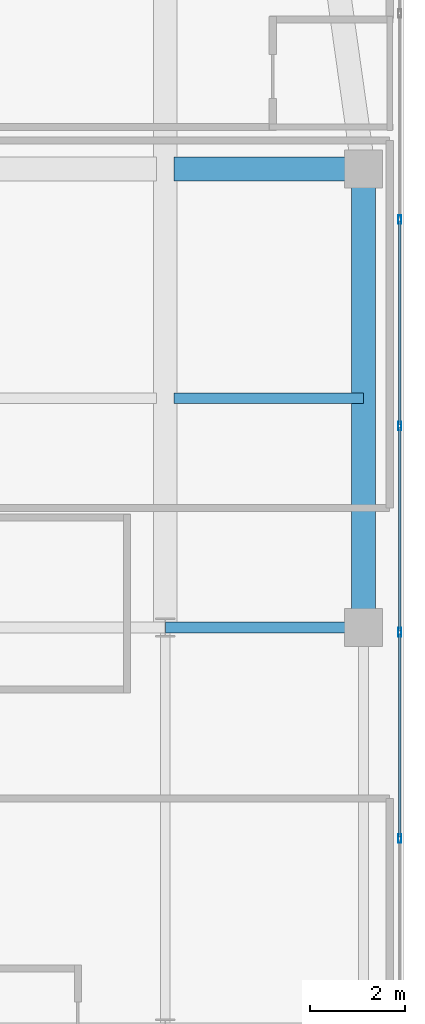
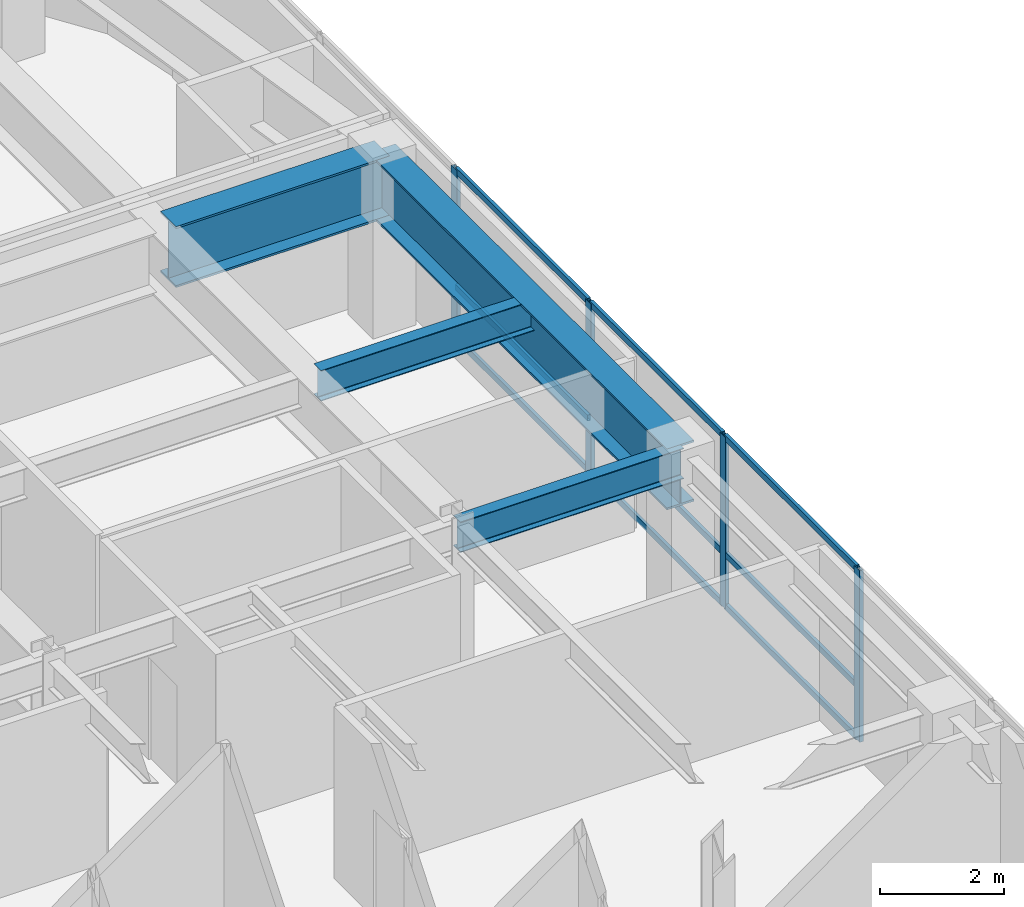
# One storey, part 10 of 26: 13 members, 4 beams, 1 element without a shape of its own.
"""IFC4 building model written with IfcOpenShell, lengths in metres."""

from ifc_helpers import new_model, si_unit, direction, frame, origin, origin_2d, place, context, subcontext, project, spatial, hollow_rectangle, i_section, extrude, source, transform, mapped, material, layer, layer_set, material_profile, profile_set, type_object, type_shapes, element, aggregate, save


model = new_model("IFC4")

# Units and contexts
model_context = context("Model", 3, precision=1e-05, world=origin(), true_north=direction((0.0, 1.0)))
body_context = subcontext(model_context, "Body", "Model", "MODEL_VIEW")
ifc_project = project(units=[si_unit("LENGTHUNIT", "METRE"), si_unit("AREAUNIT", "SQUARE_METRE"), si_unit("VOLUMEUNIT", "CUBIC_METRE"), si_unit("PLANEANGLEUNIT", "RADIAN"), si_unit("MASSUNIT", "GRAM", prefix="KILO")], contexts=[model_context])

# Site, building, storey
site_placement = place(None, origin())
site = spatial("IfcSite", under=ifc_project, at=site_placement, CompositionType="ELEMENT")
building_placement = place(site_placement, origin())
building = spatial("IfcBuilding", under=site, at=building_placement, Name="Tolvann Quenvar Hotel", CompositionType="ELEMENT")
storey_placement = place(building_placement, frame((0.0, 0.0, 168.35009765625)))
storey = spatial("IfcBuildingStorey", under=building, at=storey_placement, Name="L44", CompositionType="ELEMENT", Elevation=168.35009765625)

# Beams
ifc_material_1 = material(Name="Steel Grade 350", Category="steel")
ifc_material_profile_1 = material_profile(ifc_material_1, i_section(OverallWidth=0.5, OverallDepth=1.199951171875, WebThickness=0.01611328125, FlangeThickness=0.0400390625, at=origin_2d()), Name="1200WB455")
ifc_profile_set_1 = profile_set([ifc_material_profile_1], Name="Steel Grade 350")
beam_type_1 = type_object("IfcBeamType", Name="BM_TG_1200WB455", PredefinedType="USERDEFINED", material=ifc_profile_set_1)
shared_shape_1 = source(origin(), body_context, "Body", "SweptSolid", [
    extrude(i_section(OverallWidth=0.5, OverallDepth=1.199951171875, WebThickness=0.01611328125, FlangeThickness=0.0400390625, at=origin_2d()), origin(), (0.0, 0.0, 1.0), 9.60009765625),
])
beam_1_placement = place(storey_placement, frame((53.550048828125, 24.39990234375, 2.77001953125), z_axis=(0.0, 1.0, 0.0), x_axis=(-1.0, 0.0, 0.0)))
element("IfcBeam", 1, at=beam_1_placement, inside=storey, type_object=beam_type_1, Name="BM-L44-FLK-E1", ObjectType="TRANSFER GIRDER", PredefinedType="USERDEFINED", context=body_context, shape_type="MappedRepresentation", body=[
    mapped(shared_shape_1, transform((0.0, 0.0, 0.0), x_axis=(1.0, 0.0, 0.0), y_axis=(0.0, 1.0, 0.0), z_axis=(0.0, 0.0, 1.0), scale=1.0)),
])
shared_shape_2 = source(origin(), body_context, "Body", "SweptSolid", [
    extrude(i_section(OverallWidth=0.5, OverallDepth=1.199951171875, WebThickness=0.01611328125, FlangeThickness=0.0400390625, at=origin_2d()), origin(), (0.0, 0.0, 1.0), 3.969970703125),
])
type_shapes(beam_type_1, [shared_shape_1, shared_shape_2])
beam_2_placement = place(storey_placement, frame((49.580078125, 34.0, 2.77001953125), z_axis=(1.0, 0.0, 0.0), x_axis=(0.0, 1.0, 0.0)))
element("IfcBeam", 2, at=beam_2_placement, inside=storey, type_object=beam_type_1, Name="BM-L44-CTE-JD6C", ObjectType="TRANSFER GIRDER", PredefinedType="USERDEFINED", context=body_context, shape_type="MappedRepresentation", body=[
    mapped(shared_shape_2, transform((0.0, 0.0, 0.0), x_axis=(1.0, 0.0, 0.0), y_axis=(0.0, 1.0, 0.0), z_axis=(0.0, 0.0, 1.0), scale=1.0)),
])
ifc_material_profile_2 = material_profile(ifc_material_1, i_section(OverallWidth=0.22802734375, OverallDepth=0.60205078125, WebThickness=0.010498046875, FlangeThickness=0.014892578125, FilletRadius=0.013916015625, at=origin_2d()), Name="610UB101")
ifc_profile_set_2 = profile_set([ifc_material_profile_2], Name="Steel Grade 350")
beam_type_2 = type_object("IfcBeamType", Name="BM_GIRD_610UB101", PredefinedType="BEAM", material=ifc_profile_set_2)
shared_shape_3 = source(origin(), body_context, "Body", "SweptSolid", [
    extrude(i_section(OverallWidth=0.22802734375, OverallDepth=0.60205078125, WebThickness=0.010498046875, FlangeThickness=0.014892578125, FilletRadius=0.013916015625, at=origin_2d()), origin(), (0.0, 0.0, 1.0), 4.150146484375),
])
beam_3_placement = place(storey_placement, frame((49.39990234375, 24.39990234375, 3.06884765625), z_axis=(1.0, 0.0, 0.0), x_axis=(0.0, 1.0, 0.0)))
element("IfcBeam", 3, at=beam_3_placement, inside=storey, type_object=beam_type_2, Name="BM-L44-EW-5-I5-J5", PredefinedType="BEAM", context=body_context, shape_type="MappedRepresentation", body=[
    mapped(shared_shape_3, transform((0.0, 0.0, 0.0), x_axis=(1.0, 0.0, 0.0), y_axis=(0.0, 1.0, 0.0), z_axis=(0.0, 0.0, 1.0), scale=1.0)),
])
shared_shape_4 = source(origin(), body_context, "Body", "SweptSolid", [
    extrude(i_section(OverallWidth=0.22802734375, OverallDepth=0.60205078125, WebThickness=0.010498046875, FlangeThickness=0.014892578125, FilletRadius=0.013916015625, at=origin_2d()), origin(), (0.0, 0.0, 1.0), 3.969970703125),
])
type_shapes(beam_type_2, [shared_shape_3, shared_shape_4])
beam_4_placement = place(storey_placement, frame((49.580078125, 29.199951171875, 3.06884765625), z_axis=(1.0, 0.0, 0.0), x_axis=(0.0, 1.0, 0.0)))
element("IfcBeam", 4, at=beam_4_placement, inside=storey, type_object=beam_type_2, Name="BM-L44-EW-IJ29", PredefinedType="BEAM", context=body_context, shape_type="MappedRepresentation", body=[
    mapped(shared_shape_4, transform((0.0, 0.0, 0.0), x_axis=(1.0, 0.0, 0.0), y_axis=(0.0, 1.0, 0.0), z_axis=(0.0, 0.0, 1.0), scale=1.0)),
])

# Curtain wall, members
ifc_material_2 = material(Name="Thermally broken anodised architectural aluminium 6063-T6 and laminated low-E glass", Category="aluminium")
ifc_layer = layer(ifc_material_2, 0.179931640625)
ifc_layer_set = layer_set([ifc_layer], Name="Thermally broken anodised architectural aluminium 6063-T6 and laminated low-E glass")
curtain_wall_type = type_object("IfcCurtainWallType", Name="CW_SYS_BAND_04", PredefinedType="USERDEFINED", material=ifc_layer_set)
curtain_wall_placement = place(storey_placement, origin())
curtain_wall = element("IfcCurtainWall", 5, at=curtain_wall_placement, inside=storey, type_object=curtain_wall_type, Name="Curtain Wall CW-BAND-04 (CWR-L44-E13)", ObjectType="UNITISED CURTAIN WALL", PredefinedType="USERDEFINED")
ifc_material_3 = material(Name="Anodised architectural aluminium 6063-T6 framing", Category="aluminium")
ifc_material_profile_3 = material_profile(ifc_material_3, hollow_rectangle(XDim=0.070068359375, YDim=0.179931640625, WallThickness=0.00390625, at=origin_2d()), Name="180x70x4RHS")
ifc_profile_set_3 = profile_set([ifc_material_profile_3], Name="Anodised architectural aluminium 6063-T6 framing")
member_type_1 = type_object("IfcMemberType", Name="CW_MULL_180x70", PredefinedType="MULLION", material=ifc_profile_set_3)
shared_shape_5 = source(origin(), body_context, "Body", "SweptSolid", [
    extrude(hollow_rectangle(XDim=0.070068359375, YDim=0.179931640625, WallThickness=0.00390625, at=origin_2d()), origin(), (0.0, 0.0, 1.0), 3.369873046875),
])
type_shapes(member_type_1, [shared_shape_5])
member_1_placement = place(storey_placement, frame((54.31005859375, 19.979248046875, 0.0), z_axis=(0.0, 0.0, 1.0), x_axis=(-1.0, 0.0, 0.0)))
member_1 = element("IfcMember", 6, at=member_1_placement, type_object=member_type_1, Name="CW-BAND-04 mullion 4", PredefinedType="MULLION", context=body_context, shape_type="MappedRepresentation", body=[
    mapped(shared_shape_5, transform((0.0, 0.0, 0.0), x_axis=(1.0, 0.0, 0.0), y_axis=(0.0, 1.0, 0.0), z_axis=(0.0, 0.0, 1.0), scale=1.0)),
])
member_2_placement = place(storey_placement, frame((54.31005859375, 24.300048828125, 0.0), z_axis=(0.0, 0.0, 1.0), x_axis=(-1.0, 0.0, 0.0)))
member_2 = element("IfcMember", 7, at=member_2_placement, type_object=member_type_1, Name="CW-BAND-04 mullion 5", PredefinedType="MULLION", context=body_context, shape_type="MappedRepresentation", body=[
    mapped(shared_shape_5, transform((0.0, 0.0, 0.0), x_axis=(1.0, 0.0, 0.0), y_axis=(0.0, 1.0, 0.0), z_axis=(0.0, 0.0, 1.0), scale=1.0)),
])
member_3_placement = place(storey_placement, frame((54.31005859375, 28.62060546875, 0.0), z_axis=(0.0, 0.0, 1.0), x_axis=(-1.0, 0.0, 0.0)))
member_3 = element("IfcMember", 8, at=member_3_placement, type_object=member_type_1, Name="CW-BAND-04 mullion 6", PredefinedType="MULLION", context=body_context, shape_type="MappedRepresentation", body=[
    mapped(shared_shape_5, transform((0.0, 0.0, 0.0), x_axis=(1.0, 0.0, 0.0), y_axis=(0.0, 1.0, 0.0), z_axis=(0.0, 0.0, 1.0), scale=1.0)),
])
member_4_placement = place(storey_placement, frame((54.31005859375, 32.94140625, 0.0), z_axis=(0.0, 0.0, 1.0), x_axis=(-1.0, 0.0, 0.0)))
member_4 = element("IfcMember", 9, at=member_4_placement, type_object=member_type_1, Name="CW-BAND-04 mullion 7", PredefinedType="MULLION", context=body_context, shape_type="MappedRepresentation", body=[
    mapped(shared_shape_5, transform((0.0, 0.0, 0.0), x_axis=(1.0, 0.0, 0.0), y_axis=(0.0, 1.0, 0.0), z_axis=(0.0, 0.0, 1.0), scale=1.0)),
])
ifc_material_profile_4 = material_profile(ifc_material_3, hollow_rectangle(XDim=0.06005859375, YDim=0.1201171875, WallThickness=0.00341796875, at=origin_2d()), Name="120x60x3.5RHS")
ifc_profile_set_4 = profile_set([ifc_material_profile_4], Name="Anodised architectural aluminium 6063-T6 framing")
member_type_2 = type_object("IfcMemberType", Name="CW_TRAN_120x60", PredefinedType="USERDEFINED", material=ifc_profile_set_4)
shared_shape_6 = source(origin(), body_context, "Body", "SweptSolid", [
    extrude(hollow_rectangle(XDim=0.06005859375, YDim=0.1201171875, WallThickness=0.00341796875, at=origin_2d()), origin(), (0.0, 0.0, 1.0), 4.250732421875),
])
member_5_placement = place(storey_placement, frame((54.31005859375, 24.3349609375, 0.02978515625), z_axis=(0.0, 1.0, 0.0), x_axis=(-1.0, 0.0, 0.0)))
member_5 = element("IfcMember", 10, at=member_5_placement, type_object=member_type_2, Name="CW-BAND-04 transom 5.1", ObjectType="TRANSOM", PredefinedType="USERDEFINED", context=body_context, shape_type="MappedRepresentation", body=[
    mapped(shared_shape_6, transform((0.0, 0.0, 0.0), x_axis=(1.0, 0.0, 0.0), y_axis=(0.0, 1.0, 0.0), z_axis=(0.0, 0.0, 1.0), scale=1.0)),
])
member_6_placement = place(storey_placement, frame((54.31005859375, 24.3349609375, 1.0498046875), z_axis=(0.0, 1.0, 0.0), x_axis=(-1.0, 0.0, 0.0)))
member_6 = element("IfcMember", 11, at=member_6_placement, type_object=member_type_2, Name="CW-BAND-04 transom 5.2", ObjectType="TRANSOM", PredefinedType="USERDEFINED", context=body_context, shape_type="MappedRepresentation", body=[
    mapped(shared_shape_6, transform((0.0, 0.0, 0.0), x_axis=(1.0, 0.0, 0.0), y_axis=(0.0, 1.0, 0.0), z_axis=(0.0, 0.0, 1.0), scale=1.0)),
])
member_7_placement = place(storey_placement, frame((54.31005859375, 24.3349609375, 3.33984375), z_axis=(0.0, 1.0, 0.0), x_axis=(-1.0, 0.0, 0.0)))
member_7 = element("IfcMember", 12, at=member_7_placement, type_object=member_type_2, Name="CW-BAND-04 transom 5.3", ObjectType="TRANSOM", PredefinedType="USERDEFINED", context=body_context, shape_type="MappedRepresentation", body=[
    mapped(shared_shape_6, transform((0.0, 0.0, 0.0), x_axis=(1.0, 0.0, 0.0), y_axis=(0.0, 1.0, 0.0), z_axis=(0.0, 0.0, 1.0), scale=1.0)),
])
member_8_placement = place(storey_placement, frame((54.31005859375, 28.65576171875, 0.02978515625), z_axis=(0.0, 1.0, 0.0), x_axis=(-1.0, 0.0, 0.0)))
member_8 = element("IfcMember", 13, at=member_8_placement, type_object=member_type_2, Name="CW-BAND-04 transom 6.1", ObjectType="TRANSOM", PredefinedType="USERDEFINED", context=body_context, shape_type="MappedRepresentation", body=[
    mapped(shared_shape_6, transform((0.0, 0.0, 0.0), x_axis=(1.0, 0.0, 0.0), y_axis=(0.0, 1.0, 0.0), z_axis=(0.0, 0.0, 1.0), scale=1.0)),
])
member_9_placement = place(storey_placement, frame((54.31005859375, 28.65576171875, 1.0498046875), z_axis=(0.0, 1.0, 0.0), x_axis=(-1.0, 0.0, 0.0)))
member_9 = element("IfcMember", 14, at=member_9_placement, type_object=member_type_2, Name="CW-BAND-04 transom 6.2", ObjectType="TRANSOM", PredefinedType="USERDEFINED", context=body_context, shape_type="MappedRepresentation", body=[
    mapped(shared_shape_6, transform((0.0, 0.0, 0.0), x_axis=(1.0, 0.0, 0.0), y_axis=(0.0, 1.0, 0.0), z_axis=(0.0, 0.0, 1.0), scale=1.0)),
])
member_10_placement = place(storey_placement, frame((54.31005859375, 28.65576171875, 3.33984375), z_axis=(0.0, 1.0, 0.0), x_axis=(-1.0, 0.0, 0.0)))
member_10 = element("IfcMember", 15, at=member_10_placement, type_object=member_type_2, Name="CW-BAND-04 transom 6.3", ObjectType="TRANSOM", PredefinedType="USERDEFINED", context=body_context, shape_type="MappedRepresentation", body=[
    mapped(shared_shape_6, transform((0.0, 0.0, 0.0), x_axis=(1.0, 0.0, 0.0), y_axis=(0.0, 1.0, 0.0), z_axis=(0.0, 0.0, 1.0), scale=1.0)),
])
shared_shape_7 = source(origin(), body_context, "Body", "SweptSolid", [
    extrude(hollow_rectangle(XDim=0.06005859375, YDim=0.1201171875, WallThickness=0.00341796875, at=origin_2d()), origin(), (0.0, 0.0, 1.0), 4.25048828125),
])
type_shapes(member_type_2, [shared_shape_6, shared_shape_7])
member_11_placement = place(storey_placement, frame((54.31005859375, 20.014404296875, 0.02978515625), z_axis=(0.0, 1.0, 0.0), x_axis=(-1.0, 0.0, 0.0)))
member_11 = element("IfcMember", 16, at=member_11_placement, type_object=member_type_2, Name="CW-BAND-04 transom 4.1", ObjectType="TRANSOM", PredefinedType="USERDEFINED", context=body_context, shape_type="MappedRepresentation", body=[
    mapped(shared_shape_7, transform((0.0, 0.0, 0.0), x_axis=(1.0, 0.0, 0.0), y_axis=(0.0, 1.0, 0.0), z_axis=(0.0, 0.0, 1.0), scale=1.0)),
])
member_12_placement = place(storey_placement, frame((54.31005859375, 20.014404296875, 1.0498046875), z_axis=(0.0, 1.0, 0.0), x_axis=(-1.0, 0.0, 0.0)))
member_12 = element("IfcMember", 17, at=member_12_placement, type_object=member_type_2, Name="CW-BAND-04 transom 4.2", ObjectType="TRANSOM", PredefinedType="USERDEFINED", context=body_context, shape_type="MappedRepresentation", body=[
    mapped(shared_shape_7, transform((0.0, 0.0, 0.0), x_axis=(1.0, 0.0, 0.0), y_axis=(0.0, 1.0, 0.0), z_axis=(0.0, 0.0, 1.0), scale=1.0)),
])
member_13_placement = place(storey_placement, frame((54.31005859375, 20.014404296875, 3.33984375), z_axis=(0.0, 1.0, 0.0), x_axis=(-1.0, 0.0, 0.0)))
member_13 = element("IfcMember", 18, at=member_13_placement, type_object=member_type_2, Name="CW-BAND-04 transom 4.3", ObjectType="TRANSOM", PredefinedType="USERDEFINED", context=body_context, shape_type="MappedRepresentation", body=[
    mapped(shared_shape_7, transform((0.0, 0.0, 0.0), x_axis=(1.0, 0.0, 0.0), y_axis=(0.0, 1.0, 0.0), z_axis=(0.0, 0.0, 1.0), scale=1.0)),
])
aggregate(curtain_wall, [member_1, member_2, member_3, member_4, member_11, member_12, member_13, member_5, member_6, member_7, member_8, member_9, member_10])

save(model, "model.ifc")
